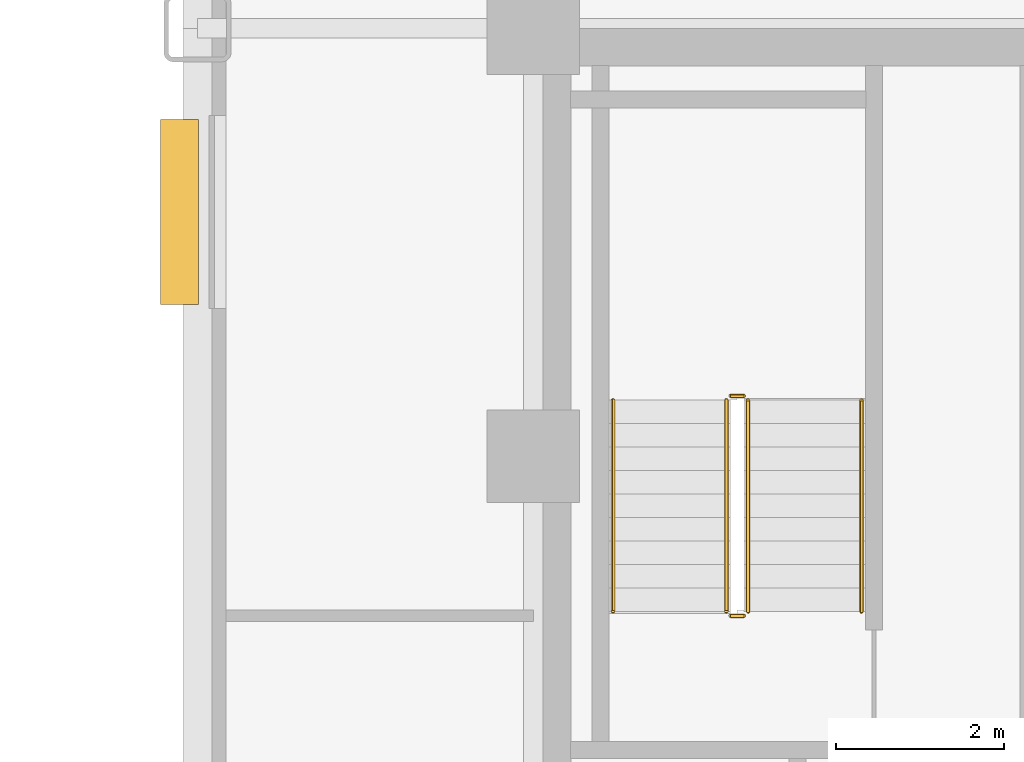
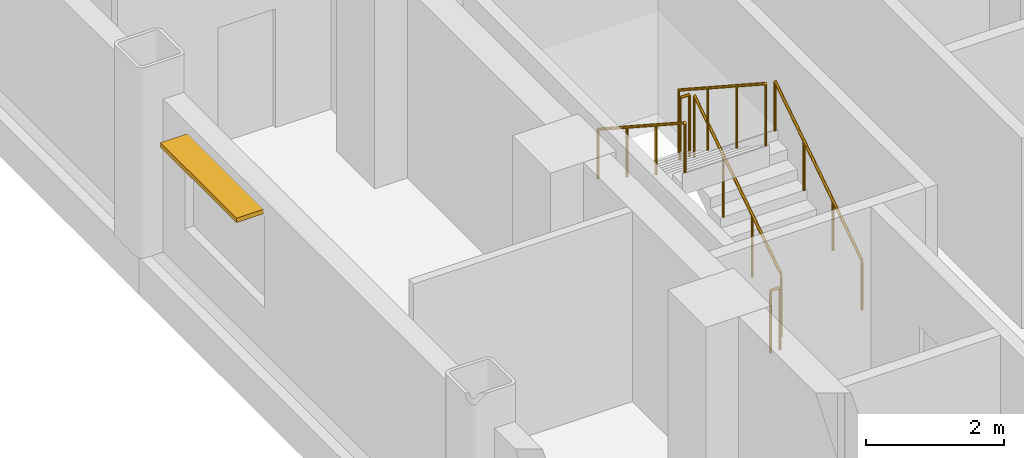
# One storey, part 12 of 14: 6 railings, 1 shading device.
"""IFC4 building model written with IfcOpenShell, lengths in metres."""

from ifc_helpers import new_model, si_unit, direction, frame, origin, origin_2d, place, context, subcontext, project, spatial, rectangle, circle, extrude, source, transform, mapped, material, type_object, type_shapes, element, save


model = new_model("IFC4")

# Units and contexts
model_context = context("Model", 3, precision=1e-05, world=origin(), true_north=direction((0.0, 1.0)))
body_context = subcontext(model_context, "Body", "Model", "MODEL_VIEW")
ifc_project = project(units=[si_unit("LENGTHUNIT", "METRE"), si_unit("AREAUNIT", "SQUARE_METRE"), si_unit("VOLUMEUNIT", "CUBIC_METRE"), si_unit("PLANEANGLEUNIT", "RADIAN"), si_unit("MASSUNIT", "GRAM", prefix="KILO")], contexts=[model_context])

# Site, building, storey
site_placement = place(None, origin())
site = spatial("IfcSite", under=ifc_project, at=site_placement, CompositionType="ELEMENT")
building_placement = place(site_placement, origin())
building = spatial("IfcBuilding", under=site, at=building_placement, Name="Nuvemarco Arch Tower", CompositionType="ELEMENT")
storey_placement = place(building_placement, frame((0.0, 0.0, 67.75)))
storey = spatial("IfcBuildingStorey", under=building, at=storey_placement, Name="L17", CompositionType="ELEMENT", Elevation=67.75)

# Railings
ifc_material_1 = material(Name="Brushed stainless steel handrail", Category="steel")
railing_type_1 = type_object("IfcRailingType", Name="RL-HANDRAIL-900", PredefinedType="HANDRAIL", material=ifc_material_1)
railing_1_placement = place(storey_placement, frame((-13.590087890625, 2.64990234375, 0.1826171875)))
element("IfcRailing", 1, at=railing_1_placement, inside=storey, type_object=railing_type_1, Name="L17 ST-1 stair handrail 1", PredefinedType="HANDRAIL", context=body_context, shape_type="SweptSolid", body=[
    extrude(circle(Radius=0.02392578125, at=origin_2d()), frame((0.0, 0.0, 0.8759765625), z_axis=(0.0, 0.837786554691, 0.545997883492), x_axis=(-1.0, 0.0, 0.0)), (0.0, 0.0, 1.0), 3.008056640625),
    extrude(circle(Radius=0.02099609375, at=origin_2d()), origin(), (0.0, 0.0, 1.0), 0.851806640625),
    extrude(circle(Radius=0.02099609375, at=origin_2d()), frame((0.0, 0.840087890625, 0.54736328125)), (0.0, 0.0, 1.0), 0.851806640625),
    extrude(circle(Radius=0.02099609375, at=origin_2d()), frame((0.0, 1.679931640625, 1.094970703125)), (0.0, 0.0, 1.0), 0.851806640625),
    extrude(circle(Radius=0.02099609375, at=origin_2d()), frame((0.0, 2.52001953125, 1.642333984375)), (0.0, 0.0, 1.0), 0.851806640625),
])
railing_2_placement = place(storey_placement, frame((-16.550048828125, 5.169921875, 2.007568359375)))
element("IfcRailing", 2, at=railing_2_placement, inside=storey, type_object=railing_type_1, Name="L17 ST-1 stair handrail 2", PredefinedType="HANDRAIL", context=body_context, shape_type="SweptSolid", body=[
    extrude(circle(Radius=0.02392578125, at=origin_2d()), frame((0.0, 0.0, 0.8759765625), z_axis=(0.0, -0.837786554691, 0.545997883492), x_axis=(1.0, 0.0, 0.0)), (0.0, 0.0, 1.0), 3.008056640625),
    extrude(circle(Radius=0.02099609375, at=origin_2d()), origin(), (0.0, 0.0, 1.0), 0.851806640625),
    extrude(circle(Radius=0.02099609375, at=origin_2d()), frame((0.0, -0.840087890625, 0.54736328125)), (0.0, 0.0, 1.0), 0.851806640625),
    extrude(circle(Radius=0.02099609375, at=origin_2d()), frame((0.0, -1.679931640625, 1.094970703125)), (0.0, 0.0, 1.0), 0.851806640625),
    extrude(circle(Radius=0.02099609375, at=origin_2d()), frame((0.0, -2.52001953125, 1.642333984375)), (0.0, 0.0, 1.0), 0.851806640625),
])
ifc_material_2 = material(Name="Painted balustrade steel S355", Category="steel")
railing_type_2 = type_object("IfcRailingType", Name="RL-STAIR-GUARD", PredefinedType="GUARDRAIL", material=ifc_material_2)
railing_3_placement = place(storey_placement, frame((-14.93994140625, 2.64990234375, 0.1826171875)))
element("IfcRailing", 3, at=railing_3_placement, inside=storey, type_object=railing_type_2, Name="L17 ST-1 stair guard 1", PredefinedType="GUARDRAIL", context=body_context, shape_type="SweptSolid", body=[
    extrude(circle(Radius=0.02392578125, at=origin_2d()), frame((0.0, 0.0, 1.09619140625), z_axis=(0.0, 0.837786554691, 0.545997883492), x_axis=(-1.0, 0.0, 0.0)), (0.0, 0.0, 1.0), 3.008056640625),
    extrude(circle(Radius=0.02099609375, at=origin_2d()), origin(), (0.0, 0.0, 1.0), 1.072021484375),
    extrude(circle(Radius=0.02099609375, at=origin_2d()), frame((0.0, 0.840087890625, 0.54736328125)), (0.0, 0.0, 1.0), 1.072021484375),
    extrude(circle(Radius=0.02099609375, at=origin_2d()), frame((0.0, 1.679931640625, 1.094970703125)), (0.0, 0.0, 1.0), 1.072021484375),
    extrude(circle(Radius=0.02099609375, at=origin_2d()), frame((0.0, 2.52001953125, 1.642333984375)), (0.0, 0.0, 1.0), 1.072021484375),
])
railing_4_placement = place(storey_placement, frame((-14.989990234375, 5.219970703125, 1.824951171875)))
element("IfcRailing", 4, at=railing_4_placement, inside=storey, type_object=railing_type_2, Name="L17 ST-1 stair guard 2", PredefinedType="GUARDRAIL", context=body_context, shape_type="SweptSolid", body=[
    extrude(circle(Radius=0.02392578125, at=origin_2d()), frame((0.0, 0.0, 1.09619140625), z_axis=(-1.0, 0.0, 0.0), x_axis=(0.0, -1.0, 0.0)), (0.0, 0.0, 1.0), 0.159912109375),
    extrude(circle(Radius=0.02099609375, at=origin_2d()), origin(), (0.0, 0.0, 1.0), 1.072021484375),
    extrude(circle(Radius=0.02099609375, at=origin_2d()), frame((-0.159912109375, 0.0, 0.0)), (0.0, 0.0, 1.0), 1.072021484375),
])
railing_5_placement = place(storey_placement, frame((-15.199951171875, 5.169921875, 2.007568359375)))
element("IfcRailing", 5, at=railing_5_placement, inside=storey, type_object=railing_type_2, Name="L17 ST-1 stair guard 3", PredefinedType="GUARDRAIL", context=body_context, shape_type="SweptSolid", body=[
    extrude(circle(Radius=0.02392578125, at=origin_2d()), frame((0.0, 0.0, 1.09619140625), z_axis=(0.0, -0.837786554691, 0.545997883492), x_axis=(1.0, 0.0, 0.0)), (0.0, 0.0, 1.0), 3.008056640625),
    extrude(circle(Radius=0.02099609375, at=origin_2d()), origin(), (0.0, 0.0, 1.0), 1.072021484375),
    extrude(circle(Radius=0.02099609375, at=origin_2d()), frame((0.0, -0.840087890625, 0.54736328125)), (0.0, 0.0, 1.0), 1.072021484375),
    extrude(circle(Radius=0.02099609375, at=origin_2d()), frame((0.0, -1.679931640625, 1.094970703125)), (0.0, 0.0, 1.0), 1.072021484375),
    extrude(circle(Radius=0.02099609375, at=origin_2d()), frame((0.0, -2.52001953125, 1.642333984375)), (0.0, 0.0, 1.0), 1.072021484375),
])
railing_6_placement = place(storey_placement, frame((-14.989990234375, 2.60009765625, 0.0)))
element("IfcRailing", 6, at=railing_6_placement, inside=storey, type_object=railing_type_2, Name="L17 ST-1 stair guard 4", PredefinedType="GUARDRAIL", context=body_context, shape_type="SweptSolid", body=[
    extrude(circle(Radius=0.02392578125, at=origin_2d()), frame((0.0, 0.0, 1.09619140625), z_axis=(-1.0, 0.0, 0.0), x_axis=(0.0, -1.0, 0.0)), (0.0, 0.0, 1.0), 0.159912109375),
    extrude(circle(Radius=0.02099609375, at=origin_2d()), origin(), (0.0, 0.0, 1.0), 1.072021484375),
    extrude(circle(Radius=0.02099609375, at=origin_2d()), frame((-0.159912109375, 0.0, 0.0)), (0.0, 0.0, 1.0), 1.072021484375),
])

# Shading device
ifc_material_3 = material(Name="Anodised aluminium 6063-T6", Category="aluminium")
shading_device_type = type_object("IfcShadingDeviceType", Name="SHD-BRISE-SOLEIL", PredefinedType="USERDEFINED", material=ifc_material_3)
shared_shape = source(origin(), body_context, "Body", "SweptSolid", [
    extrude(rectangle(XDim=2.199951171875, YDim=0.449951171875, at=origin_2d()), origin(), (0.0, 0.0, 1.0), 0.080078125),
])
type_shapes(shading_device_type, [shared_shape])
shading_device_placement = place(storey_placement, frame((-21.715087890625, 7.41162109375, 2.425048828125), z_axis=(0.0, 0.0, 1.0), x_axis=(0.0, 1.0, 0.0)))
element("IfcShadingDevice", 7, at=shading_device_placement, inside=storey, type_object=shading_device_type, Name="L17 horizontal brise-soleil sunshade", ObjectType="SUNSHADE", PredefinedType="USERDEFINED", context=body_context, shape_type="MappedRepresentation", body=[
    mapped(shared_shape, transform((0.0, 0.0, 0.0), scale=1.0)),
])

save(model, "model.ifc")
